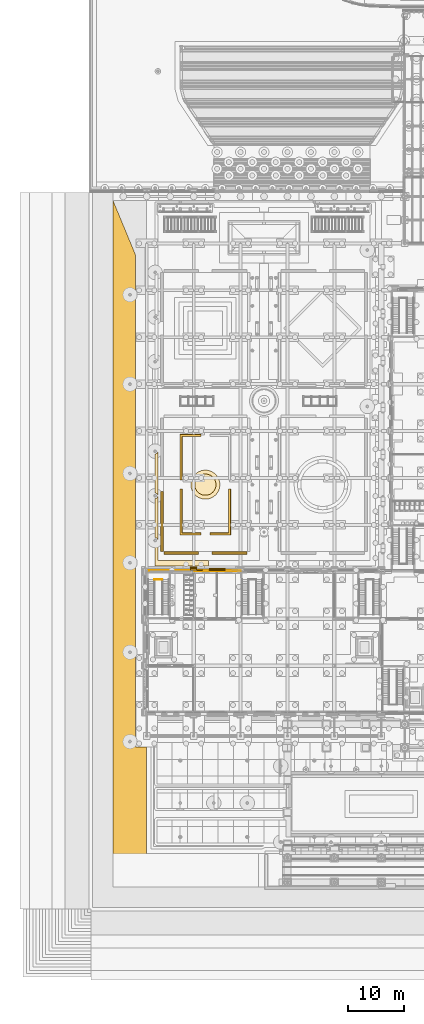
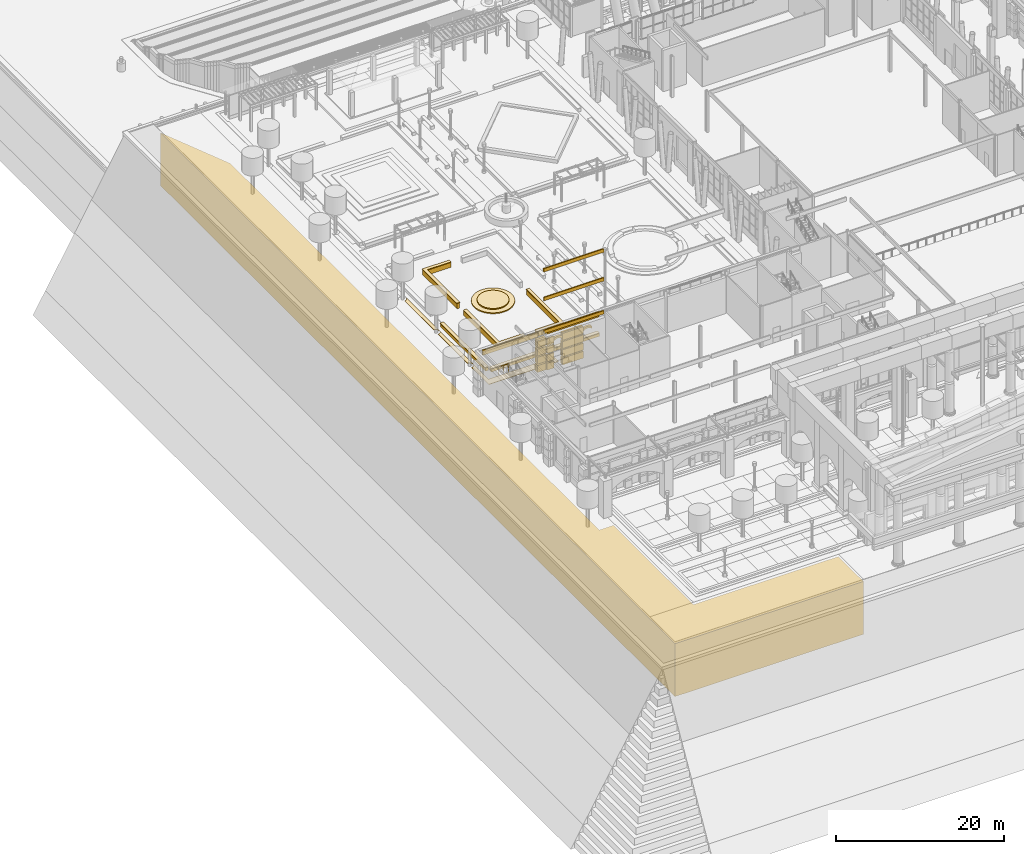
# One storey, part 136 of 222: 45 coverings, 1 railing.
"""IFC4 building model written with IfcOpenShell, lengths in metres."""

from ifc_helpers import new_model, si_unit, direction, frame, origin, origin_2d, place, context, subcontext, project, spatial, polyline, rectangle, circle, outline, extrude, material, layer, layer_set, type_object, element, save


model = new_model("IFC4")

# Units and contexts
model_context = context("Model", 3, precision=1e-05, world=origin(), true_north=direction((0.0, 1.0)))
body_context = subcontext(model_context, "Body", "Model", "MODEL_VIEW")
ifc_project = project(units=[si_unit("LENGTHUNIT", "METRE"), si_unit("AREAUNIT", "SQUARE_METRE"), si_unit("VOLUMEUNIT", "CUBIC_METRE"), si_unit("PLANEANGLEUNIT", "RADIAN"), si_unit("MASSUNIT", "GRAM", prefix="KILO")], contexts=[model_context])

# Site, building, storey
site_placement = place(None, origin())
site = spatial("IfcSite", under=ifc_project, at=site_placement, CompositionType="ELEMENT")
building_placement = place(site_placement, origin())
building = spatial("IfcBuilding", under=site, at=building_placement, Name="Sava Quay Ferry Terminal", CompositionType="ELEMENT")
storey_placement = place(building_placement, origin())
storey = spatial("IfcBuildingStorey", under=building, at=storey_placement, Name="L00", CompositionType="ELEMENT", Elevation=0.0)

# Coverings
ifc_material_1 = material(Name="Limestone Mutalj", Category="masonry")
ifc_layer_1 = layer(ifc_material_1, 0.300048828125)
ifc_layer_set_1 = layer_set([ifc_layer_1], Name="Limestone Mutalj")
covering_type_1 = type_object("IfcCoveringType", Name="Arch band 280", PredefinedType="MOLDING", material=ifc_layer_set_1)
for number, where, z_axis, x_axis, name in (
    (1, (9.96875, 50.56005859375, 3.89990234375), (0.0, -1.0, 0.0), (0.766042844353, 0.0, 0.642789515017), "Arch band"),
    (2, (14.03125, 50.56005859375, 3.89990234375), (0.0, -1.0, 0.0), (0.766042844353, 0.0, 0.642789515017), "Arch band"),
):
    element("IfcCovering", number, at=place(storey_placement, frame(where, z_axis=z_axis, x_axis=x_axis)), inside=storey, type_object=covering_type_1, Name=name, PredefinedType="MOLDING", context=body_context, shape_type="SweptSolid", body=[
        extrude(outline(polyline([(0.0, 0.0), (0.1564834757725232, 0.0), (0.29290987034562144, -0.02428279209876255), (0.4140838634817109, -0.06636278232810475), (0.522890396081421, -0.12356147789515273), (0.6202108720586751, -0.19406883930165053), (0.706733197838947, -0.2778246842578833), (0.781769466996763, -0.374889195053566), (0.8444382756181996, -0.4870724111869544), (0.8918546828026273, -0.6170528254509224), (0.9192140087876302, -0.771316031813653), (1.14849024937354, -0.4980766285911245), (1.098846716569099, -0.3703705716175788), (1.0380911714997962, -0.2562870425513622), (0.9674188801474346, -0.15364195753662468), (0.8881454730732465, -0.0616270455684631), (0.8002107679875174, 0.020445599778596002), (0.7043026713157206, 0.09263616079426751), (0.5997332766323826, 0.15488445518883656), (0.48656276622721817, 0.20650257653682963), (0.3634755095389949, 0.24668225383334366), (0.2292762405859099, 0.27323940322252854), (0.0, 0.0)])), origin(), (0.0, 0.0, -1.0), 0.300048828125),
    ])
ifc_material_2 = material(Name="Limestone Mutalj", Category="masonry")
ifc_layer_2 = layer(ifc_material_2, 0.35009765625)
ifc_layer_set_2 = layer_set([ifc_layer_2], Name="Limestone Mutalj")
covering_type_2 = type_object("IfcCoveringType", Name="Garden bed wall 350", PredefinedType="CLADDING", material=ifc_layer_set_2)
covering_1_placement = place(storey_placement, frame((0.0, 0.0, 0.14990234375)))
element("IfcCovering", 3, at=covering_1_placement, inside=storey, type_object=covering_type_2, Name="Garden bed wall 350", PredefinedType="CLADDING", context=body_context, shape_type="SweptSolid", body=[
    extrude(outline(polyline([(6.35009765625, 57.35009765625), (6.35009765625, 65.199951171875), (6.0, 65.199951171875), (6.0, 57.0), (9.699951171875, 57.0), (9.699951171875, 57.35009765625), (6.35009765625, 57.35009765625)])), origin(), (0.0, 0.0, 1.0), 0.75),
])
covering_2_placement = place(storey_placement, frame((0.0, 0.0, 0.14990234375)))
element("IfcCovering", 4, at=covering_2_placement, inside=storey, type_object=covering_type_2, Name="Garden bed wall 350", PredefinedType="CLADDING", context=body_context, shape_type="SweptSolid", body=[
    extrude(outline(polyline([(9.699951171875, 74.64990234375), (9.699951171875, 75.0), (6.0, 75.0), (6.0, 66.800048828125), (6.35009765625, 66.800048828125), (6.35009765625, 74.64990234375), (9.699951171875, 74.64990234375)])), origin(), (0.0, 0.0, 1.0), 0.75),
])
covering_3_placement = place(storey_placement, frame((0.0, 0.0, 0.14990234375)))
element("IfcCovering", 5, at=covering_3_placement, inside=storey, type_object=covering_type_2, Name="Garden bed wall 350", PredefinedType="CLADDING", context=body_context, shape_type="SweptSolid", body=[
    extrude(outline(polyline([(11.300048828125, 57.35009765625), (11.300048828125, 57.0), (15.0, 57.0), (15.0, 65.199951171875), (14.64990234375, 65.199951171875), (14.64990234375, 57.35009765625), (11.300048828125, 57.35009765625)])), origin(), (0.0, 0.0, 1.0), 0.75),
])
ifc_material_3 = material(Name="Limestone Mutalj", Category="masonry")
ifc_layer_3 = layer(ifc_material_3, 0.080078125)
ifc_layer_set_3 = layer_set([ifc_layer_3], Name="Limestone Mutalj")
covering_type_3 = type_object("IfcCoveringType", Name="Garden bed wall coping 450", PredefinedType="MOLDING", material=ifc_layer_set_3)
covering_4_placement = place(storey_placement, frame((0.0, 0.0, 0.89990234375)))
element("IfcCovering", 6, at=covering_4_placement, inside=storey, type_object=covering_type_3, Name="Garden bed wall coping 450", PredefinedType="MOLDING", context=body_context, shape_type="SweptSolid", body=[
    extrude(outline(polyline([(6.39990234375, 57.39990234375), (6.39990234375, 65.199951171875), (5.949951171875, 65.199951171875), (5.949951171875, 56.949951171875), (9.699951171875, 56.949951171875), (9.699951171875, 57.39990234375), (6.39990234375, 57.39990234375)])), origin(), (0.0, 0.0, 1.0), 0.080078125),
])
covering_5_placement = place(storey_placement, frame((0.0, 0.0, 0.89990234375)))
element("IfcCovering", 7, at=covering_5_placement, inside=storey, type_object=covering_type_3, Name="Garden bed wall coping 450", PredefinedType="MOLDING", context=body_context, shape_type="SweptSolid", body=[
    extrude(outline(polyline([(9.699951171875, 74.60009765625), (9.699951171875, 75.050048828125), (5.949951171875, 75.050048828125), (5.949951171875, 66.800048828125), (6.39990234375, 66.800048828125), (6.39990234375, 74.60009765625), (9.699951171875, 74.60009765625)])), origin(), (0.0, 0.0, 1.0), 0.080078125),
])
covering_6_placement = place(storey_placement, frame((0.0, 0.0, 0.89990234375)))
element("IfcCovering", 8, at=covering_6_placement, inside=storey, type_object=covering_type_3, Name="Garden bed wall coping 450", PredefinedType="MOLDING", context=body_context, shape_type="SweptSolid", body=[
    extrude(outline(polyline([(11.300048828125, 57.39990234375), (11.300048828125, 56.949951171875), (15.050048828125, 56.949951171875), (15.050048828125, 65.199951171875), (14.60009765625, 65.199951171875), (14.60009765625, 57.39990234375), (11.300048828125, 57.39990234375)])), origin(), (0.0, 0.0, 1.0), 0.080078125),
])

# Railing
ifc_material_4 = material(Name="Steel S355", Category="steel")
railing_type = type_object("IfcRailingType", Name="Guard 1100", PredefinedType="GUARDRAIL", material=ifc_material_4)
railing_placement = place(storey_placement, frame((1.39990234375, 49.0, 3.0)))
element("IfcRailing", 9, at=railing_placement, inside=storey, type_object=railing_type, Name="Guard at half landing ST-W1 L00", PredefinedType="GUARDRAIL", context=body_context, shape_type="SweptSolid", body=[
    extrude(circle(Radius=0.02392578125, at=origin_2d()), frame((0.0, 0.0, 1.076171875), z_axis=(1.0, 0.0, 0.0), x_axis=(0.0, 1.0, 0.0)), (0.0, 0.0, 1.0), 1.400146484375),
    extrude(circle(Radius=0.02099609375, at=origin_2d()), origin(), (0.0, 0.0, 1.0), 1.052001953125),
    extrude(circle(Radius=0.02099609375, at=origin_2d()), frame((0.7001953125, 0.0, 0.0)), (0.0, 0.0, 1.0), 1.052001953125),
    extrude(circle(Radius=0.02099609375, at=origin_2d()), frame((1.400146484375, 0.0, 0.0)), (0.0, 0.0, 1.0), 1.052001953125),
])

# Coverings
ifc_material_5 = material(Name="Limestone Mutalj", Category="masonry")
ifc_layer_4 = layer(ifc_material_5, 0.14990234375)
ifc_layer_set_4 = layer_set([ifc_layer_4], Name="Limestone Mutalj")
covering_type_4 = type_object("IfcCoveringType", Name="Limestone string course 150", PredefinedType="CLADDING", material=ifc_layer_set_4)
covering_7_placement = place(storey_placement, frame((0.0, 0.0, 5.25)))
element("IfcCovering", 10, at=covering_7_placement, inside=storey, type_object=covering_type_4, Name="String course W-N", PredefinedType="CLADDING", context=body_context, shape_type="SweptSolid", body=[
    extrude(outline(polyline([(0.14990234375, 50.56005859375), (7.800048828125, 50.56005859375), (7.800048828125, 50.7099609375), (0.14990234375, 50.7099609375), (0.14990234375, 50.56005859375)])), origin(), (0.0, 0.0, 1.0), 0.75),
])
covering_8_placement = place(storey_placement, frame((0.0, 0.0, 5.25)))
element("IfcCovering", 11, at=covering_8_placement, inside=storey, type_object=covering_type_4, Name="String course W-N", PredefinedType="CLADDING", context=body_context, shape_type="SweptSolid", body=[
    extrude(outline(polyline([(9.0, 50.56005859375), (16.199951171875, 50.56005859375), (16.199951171875, 50.7099609375), (9.0, 50.7099609375), (9.0, 50.56005859375)])), origin(), (0.0, 0.0, 1.0), 0.75),
])
ifc_material_6 = material(Name="Compacted gravel fill")
ifc_layer_5 = layer(ifc_material_6, 7.97998046875)
ifc_layer_set_5 = layer_set([ifc_layer_5], Name="Compacted gravel fill")
covering_type_5 = type_object("IfcCoveringType", Name="Made ground at quay level", PredefinedType="CLADDING", material=ifc_layer_set_5)
covering_9_placement = place(storey_placement, frame((0.0, 0.0, -8.0)))
element("IfcCovering", 12, at=covering_9_placement, inside=storey, type_object=covering_type_5, Name="Made ground at quay level", PredefinedType="CLADDING", context=body_context, shape_type="SweptSolid", body=[
    extrude(outline(polyline([(-6.0, -6.0), (19.969970703125, -6.0), (19.969970703125, -0.030029296875), (-0.030029296875, -0.030029296875), (-0.030029296875, 19.02001953125), (-1.97998046875, 19.02001953125), (-1.97998046875, 107.06591796875), (-6.0, 116.77197265625), (-6.0, 0.0), (-6.0, -6.0)])), origin(), (0.0, 0.0, 1.0), 7.699951171875),
])
ifc_material_7 = material(Name="Limestone Mutalj", Category="masonry")
ifc_layer_6 = layer(ifc_material_7, 0.300048828125)
ifc_layer_set_6 = layer_set([ifc_layer_6], Name="Limestone Mutalj")
covering_type_6 = type_object("IfcCoveringType", Name="Rusticated course deepening 300", PredefinedType="CLADDING", material=ifc_layer_set_6)
for number, where, z_axis, x_axis, name in (
    (13, (8.39990234375, 51.159912109375, 0.0), (0.0, 0.0, 1.0), (1.0, 0.0, 0.0), "Rusticated course deepening"),
    (14, (8.39990234375, 51.159912109375, 1.199951171875), (0.0, 0.0, 1.0), (1.0, 0.0, 0.0), "Rusticated course deepening"),
    (15, (8.39990234375, 51.159912109375, 2.39990234375), (0.0, 0.0, 1.0), (1.0, 0.0, 0.0), "Rusticated course deepening"),
    (16, (8.39990234375, 51.159912109375, 3.60009765625), (0.0, 0.0, 1.0), (1.0, 0.0, 0.0), "Rusticated course deepening"),
):
    element("IfcCovering", number, at=place(storey_placement, frame(where, z_axis=z_axis, x_axis=x_axis)), inside=storey, type_object=covering_type_6, Name=name, PredefinedType="CLADDING", context=body_context, shape_type="SweptSolid", body=[
        extrude(rectangle(XDim=1.199951171875, YDim=0.300048828125, at=origin_2d()), origin(), (0.0, 0.0, 1.0), 1.0),
    ])
for number, where, z_axis, x_axis, name in (
    (17, (12.60009765625, 50.909912109375, 0.0), (0.0, 0.0, 1.0), (1.0, 0.0, 0.0), "Rusticated course deepening"),
    (18, (12.60009765625, 50.909912109375, 1.199951171875), (0.0, 0.0, 1.0), (1.0, 0.0, 0.0), "Rusticated course deepening"),
    (19, (12.60009765625, 50.909912109375, 2.39990234375), (0.0, 0.0, 1.0), (1.0, 0.0, 0.0), "Rusticated course deepening"),
    (20, (12.60009765625, 50.909912109375, 3.60009765625), (0.0, 0.0, 1.0), (1.0, 0.0, 0.0), "Rusticated course deepening"),
):
    element("IfcCovering", number, at=place(storey_placement, frame(where, z_axis=z_axis, x_axis=x_axis)), inside=storey, type_object=covering_type_6, Name=name, PredefinedType="CLADDING", context=body_context, shape_type="SweptSolid", body=[
        extrude(rectangle(XDim=2.862548828125, YDim=0.300048828125, at=origin_2d()), origin(), (0.0, 0.0, 1.0), 1.0),
    ])
ifc_material_8 = material(Name="Limestone Mutalj", Category="masonry")
ifc_layer_7 = layer(ifc_material_8, 0.300048828125)
ifc_layer_set_7 = layer_set([ifc_layer_7], Name="Limestone Mutalj")
covering_type_7 = type_object("IfcCoveringType", Name="Rusticated pier course 300", PredefinedType="CLADDING", material=ifc_layer_set_7)
for number, where, z_axis, x_axis, name in (
    (21, (8.39990234375, 50.860107421875, 0.0), (0.0, 0.0, 1.0), (1.0, 0.0, 0.0), "Rusticated pier course"),
    (22, (8.39990234375, 50.860107421875, 1.199951171875), (0.0, 0.0, 1.0), (1.0, 0.0, 0.0), "Rusticated pier course"),
    (23, (8.39990234375, 50.860107421875, 2.39990234375), (0.0, 0.0, 1.0), (1.0, 0.0, 0.0), "Rusticated pier course"),
    (24, (8.39990234375, 50.860107421875, 3.60009765625), (0.0, 0.0, 1.0), (1.0, 0.0, 0.0), "Rusticated pier course"),
):
    element("IfcCovering", number, at=place(storey_placement, frame(where, z_axis=z_axis, x_axis=x_axis)), inside=storey, type_object=covering_type_7, Name=name, PredefinedType="CLADDING", context=body_context, shape_type="SweptSolid", body=[
        extrude(rectangle(XDim=1.199951171875, YDim=0.300048828125, at=origin_2d()), origin(), (0.0, 0.0, 1.0), 1.0),
    ])
ifc_material_9 = material(Name="Limestone Mutalj", Category="masonry")
ifc_layer_8 = layer(ifc_material_9, 0.199951171875)
ifc_layer_set_8 = layer_set([ifc_layer_8], Name="Limestone Mutalj")
covering_type_8 = type_object("IfcCoveringType", Name="Rusticated wall course 200", PredefinedType="CLADDING", material=ifc_layer_set_8)
covering_10_placement = place(storey_placement, frame((9.484375, 50.659912109375, 0.0), z_axis=(0.0, 0.0, 1.0), x_axis=(1.0, 0.0, 0.0)))
element("IfcCovering", 25, at=covering_10_placement, inside=storey, type_object=covering_type_8, Name="Rusticated wall course", PredefinedType="CLADDING", context=body_context, shape_type="SweptSolid", body=[
    extrude(rectangle(XDim=0.96875, YDim=0.199951171875, at=origin_2d()), origin(), (0.0, 0.0, 1.0), 1.0),
])
covering_11_placement = place(storey_placement, frame((12.60009765625, 50.659912109375, 0.0), z_axis=(0.0, 0.0, 1.0), x_axis=(1.0, 0.0, 0.0)))
element("IfcCovering", 26, at=covering_11_placement, inside=storey, type_object=covering_type_8, Name="Rusticated wall course", PredefinedType="CLADDING", context=body_context, shape_type="SweptSolid", body=[
    extrude(rectangle(XDim=2.862548828125, YDim=0.199951171875, at=origin_2d()), origin(), (0.0, 0.0, 1.0), 1.0),
])
covering_12_placement = place(storey_placement, frame((9.484375, 50.659912109375, 1.199951171875), z_axis=(0.0, 0.0, 1.0), x_axis=(1.0, 0.0, 0.0)))
element("IfcCovering", 27, at=covering_12_placement, inside=storey, type_object=covering_type_8, Name="Rusticated wall course", PredefinedType="CLADDING", context=body_context, shape_type="SweptSolid", body=[
    extrude(rectangle(XDim=0.96875, YDim=0.199951171875, at=origin_2d()), origin(), (0.0, 0.0, 1.0), 1.0),
])
covering_13_placement = place(storey_placement, frame((12.60009765625, 50.659912109375, 1.199951171875), z_axis=(0.0, 0.0, 1.0), x_axis=(1.0, 0.0, 0.0)))
element("IfcCovering", 28, at=covering_13_placement, inside=storey, type_object=covering_type_8, Name="Rusticated wall course", PredefinedType="CLADDING", context=body_context, shape_type="SweptSolid", body=[
    extrude(rectangle(XDim=2.862548828125, YDim=0.199951171875, at=origin_2d()), origin(), (0.0, 0.0, 1.0), 1.0),
])
covering_14_placement = place(storey_placement, frame((9.484375, 50.659912109375, 2.39990234375), z_axis=(0.0, 0.0, 1.0), x_axis=(1.0, 0.0, 0.0)))
element("IfcCovering", 29, at=covering_14_placement, inside=storey, type_object=covering_type_8, Name="Rusticated wall course", PredefinedType="CLADDING", context=body_context, shape_type="SweptSolid", body=[
    extrude(rectangle(XDim=0.96875, YDim=0.199951171875, at=origin_2d()), origin(), (0.0, 0.0, 1.0), 1.0),
])
covering_15_placement = place(storey_placement, frame((12.60009765625, 50.659912109375, 2.39990234375), z_axis=(0.0, 0.0, 1.0), x_axis=(1.0, 0.0, 0.0)))
element("IfcCovering", 30, at=covering_15_placement, inside=storey, type_object=covering_type_8, Name="Rusticated wall course", PredefinedType="CLADDING", context=body_context, shape_type="SweptSolid", body=[
    extrude(rectangle(XDim=2.862548828125, YDim=0.199951171875, at=origin_2d()), origin(), (0.0, 0.0, 1.0), 1.0),
])
covering_16_placement = place(storey_placement, frame((9.484375, 50.659912109375, 3.60009765625), z_axis=(0.0, 0.0, 1.0), x_axis=(1.0, 0.0, 0.0)))
element("IfcCovering", 31, at=covering_16_placement, inside=storey, type_object=covering_type_8, Name="Rusticated wall course", PredefinedType="CLADDING", context=body_context, shape_type="SweptSolid", body=[
    extrude(rectangle(XDim=0.96875, YDim=0.199951171875, at=origin_2d()), origin(), (0.0, 0.0, 1.0), 1.0),
])
covering_17_placement = place(storey_placement, frame((12.60009765625, 50.659912109375, 3.60009765625), z_axis=(0.0, 0.0, 1.0), x_axis=(1.0, 0.0, 0.0)))
element("IfcCovering", 32, at=covering_17_placement, inside=storey, type_object=covering_type_8, Name="Rusticated wall course", PredefinedType="CLADDING", context=body_context, shape_type="SweptSolid", body=[
    extrude(rectangle(XDim=2.862548828125, YDim=0.199951171875, at=origin_2d()), origin(), (0.0, 0.0, 1.0), 1.0),
])
ifc_material_10 = material(Name="Limestone Mutalj", Category="masonry")
ifc_layer_9 = layer(ifc_material_10, 0.14990234375)
ifc_layer_set_9 = layer_set([ifc_layer_9], Name="Limestone Mutalj")
covering_type_9 = type_object("IfcCoveringType", Name="Slab edge fascia 150", PredefinedType="CLADDING", material=ifc_layer_set_9)
for number, where, name in (
    (33, (0.0, 0.0, 5.510009765625), "Slab edge fascia"),
    (34, (0.0, 0.0, 10.31005859375), "Slab edge fascia"),
):
    element("IfcCovering", number, at=place(storey_placement, frame(where)), inside=storey, type_object=covering_type_9, Name=name, PredefinedType="CLADDING", context=body_context, shape_type="SweptSolid", body=[
        extrude(outline(polyline([(8.550048828125, 50.48291015625), (16.800048828125, 50.48291015625), (16.800048828125, 50.633056640625), (8.550048828125, 50.633056640625), (8.550048828125, 50.48291015625)])), origin(), (0.0, 0.0, 1.0), 0.489990234375),
    ])
covering_18_placement = place(storey_placement, frame((0.0, 0.0, 14.510009765625)))
element("IfcCovering", 35, at=covering_18_placement, inside=storey, type_object=covering_type_9, Name="Slab edge fascia", PredefinedType="CLADDING", context=body_context, shape_type="SweptSolid", body=[
    extrude(outline(polyline([(8.530029296875, 50.48291015625), (16.800048828125, 50.48291015625), (16.800048828125, 50.633056640625), (8.530029296875, 50.633056640625), (8.530029296875, 50.48291015625)])), origin(), (0.0, 0.0, 1.0), 0.489990234375),
])
ifc_material_11 = material(Name="Limestone Mutalj", Category="masonry")
ifc_layer_10 = layer(ifc_material_11, 0.050048828125)
ifc_layer_set_10 = layer_set([ifc_layer_10], Name="Limestone Mutalj")
covering_type_10 = type_object("IfcCoveringType", Name="Stone paving band 50", PredefinedType="FLOORING", material=ifc_layer_set_10)
covering_19_placement = place(storey_placement, origin())
element("IfcCovering", 36, at=covering_19_placement, inside=storey, type_object=covering_type_10, Name="Stone paving band", PredefinedType="FLOORING", context=body_context, shape_type="SweptSolid", body=[
    extrude(outline(polyline([(1.998046875, 56.037109375), (2.0, 55.988037109375), (2.0, 63.988037109375), (1.99609375, 63.93896484375), (1.988037109375, 63.889892578125), (1.97509765625, 63.843017578125), (1.95703125, 63.797119140625), (1.93505859375, 63.75390625), (1.908935546875, 63.7119140625), (1.8779296875, 63.674072265625), (1.844970703125, 63.637939453125), (1.80810546875, 63.60595703125), (1.76708984375, 63.577880859375), (1.72509765625, 63.553955078125), (1.679931640625, 63.533935546875), (1.633056640625, 63.51806640625), (1.5849609375, 63.508056640625), (1.537109375, 63.501953125), (1.5, 63.5), (1.5, 56.5), (1.56103515625, 56.49609375), (1.610107421875, 56.488037109375), (1.656982421875, 56.47509765625), (1.702880859375, 56.45703125), (1.74609375, 56.43505859375), (1.7880859375, 56.408935546875), (1.825927734375, 56.3779296875), (1.862060546875, 56.344970703125), (1.89404296875, 56.30810546875), (1.922119140625, 56.26708984375), (1.946044921875, 56.22509765625), (1.966064453125, 56.179931640625), (1.98193359375, 56.133056640625), (1.991943359375, 56.0849609375), (1.998046875, 56.037109375)])), origin(), (0.0, 0.0, 1.0), 0.050048828125),
])
covering_20_placement = place(storey_placement, origin())
element("IfcCovering", 37, at=covering_20_placement, inside=storey, type_object=covering_type_10, Name="Stone paving band", PredefinedType="FLOORING", context=body_context, shape_type="SweptSolid", body=[
    extrude(outline(polyline([(2.0, 52.39990234375), (2.0, 55.988037109375), (1.99609375, 55.93896484375), (1.988037109375, 55.889892578125), (1.97509765625, 55.843017578125), (1.95703125, 55.797119140625), (1.93505859375, 55.75390625), (1.908935546875, 55.7119140625), (1.8779296875, 55.674072265625), (1.844970703125, 55.637939453125), (1.80810546875, 55.60595703125), (1.76708984375, 55.577880859375), (1.72509765625, 55.553955078125), (1.679931640625, 55.533935546875), (1.633056640625, 55.51806640625), (1.5849609375, 55.508056640625), (1.537109375, 55.501953125), (1.5, 55.5), (1.5, 51.39990234375), (11.10009765625, 51.39990234375), (11.10009765625, 52.39990234375), (2.0, 52.39990234375)])), origin(), (0.0, 0.0, 1.0), 0.050048828125),
])
covering_21_placement = place(storey_placement, origin())
element("IfcCovering", 38, at=covering_21_placement, inside=storey, type_object=covering_type_10, Name="Stone paving band", PredefinedType="FLOORING", context=body_context, shape_type="SweptSolid", body=[
    extrude(outline(polyline([(1.998046875, 64.037109375), (2.0, 63.988037109375), (2.0, 71.988037109375), (1.99609375, 71.93896484375), (1.988037109375, 71.889892578125), (1.97509765625, 71.843017578125), (1.95703125, 71.797119140625), (1.93505859375, 71.75390625), (1.908935546875, 71.7119140625), (1.8779296875, 71.674072265625), (1.844970703125, 71.637939453125), (1.80810546875, 71.60595703125), (1.76708984375, 71.577880859375), (1.72509765625, 71.553955078125), (1.679931640625, 71.533935546875), (1.633056640625, 71.51806640625), (1.5849609375, 71.508056640625), (1.537109375, 71.501953125), (1.5, 71.5), (1.5, 64.5), (1.56103515625, 64.49609375), (1.610107421875, 64.488037109375), (1.656982421875, 64.47509765625), (1.702880859375, 64.45703125), (1.74609375, 64.43505859375), (1.7880859375, 64.408935546875), (1.825927734375, 64.3779296875), (1.862060546875, 64.344970703125), (1.89404296875, 64.30810546875), (1.922119140625, 64.26708984375), (1.946044921875, 64.22509765625), (1.966064453125, 64.179931640625), (1.98193359375, 64.133056640625), (1.991943359375, 64.0849609375), (1.998046875, 64.037109375)])), origin(), (0.0, 0.0, 1.0), 0.050048828125),
])
ifc_material_12 = material(Name="Limestone Mutalj", Category="masonry")
ifc_layer_11 = layer(ifc_material_12, 0.14990234375)
ifc_layer_set_11 = layer_set([ifc_layer_11], Name="Limestone Mutalj")
covering_type_11 = type_object("IfcCoveringType", Name="Stone step 150", PredefinedType="MOLDING", material=ifc_layer_set_11)
covering_22_placement = place(storey_placement, frame((0.0, 0.0, 0.14990234375)))
element("IfcCovering", 39, at=covering_22_placement, inside=storey, type_object=covering_type_11, Name="Stone step 150", PredefinedType="MOLDING", context=body_context, shape_type="SweptSolid", body=[
    extrude(outline(polyline([(13.077880859375, 65.660888671875), (13.093994140625, 65.830078125), (13.10009765625, 66.0), (13.093994140625, 66.169921875), (13.077880859375, 66.339111328125), (13.050048828125, 66.507080078125), (13.010986328125, 66.673095703125), (12.9619140625, 66.8359375), (12.902099609375, 66.9951171875), (12.83203125, 67.14990234375), (12.751953125, 67.300048828125), (12.662109375, 67.444091796875), (12.56298828125, 67.5830078125), (12.455078125, 67.714111328125), (12.337890625, 67.837890625), (12.214111328125, 67.955078125), (12.0830078125, 68.06298828125), (11.944091796875, 68.162109375), (11.800048828125, 68.251953125), (11.64990234375, 68.33203125), (11.4951171875, 68.402099609375), (11.3359375, 68.4619140625), (11.173095703125, 68.510986328125), (11.007080078125, 68.550048828125), (10.839111328125, 68.577880859375), (10.669921875, 68.593994140625), (10.5, 68.60009765625), (10.330078125, 68.593994140625), (10.160888671875, 68.577880859375), (9.992919921875, 68.550048828125), (9.826904296875, 68.510986328125), (9.6640625, 68.4619140625), (9.5048828125, 68.402099609375), (9.35009765625, 68.33203125), (9.199951171875, 68.251953125), (9.055908203125, 68.162109375), (8.9169921875, 68.06298828125), (8.785888671875, 67.955078125), (8.662109375, 67.837890625), (8.544921875, 67.714111328125), (8.43701171875, 67.5830078125), (8.337890625, 67.444091796875), (8.248046875, 67.300048828125), (8.16796875, 67.14990234375), (8.097900390625, 66.9951171875), (8.0380859375, 66.8359375), (7.989013671875, 66.673095703125), (7.949951171875, 66.507080078125), (7.922119140625, 66.339111328125), (7.906005859375, 66.169921875), (7.89990234375, 66.0), (7.906005859375, 65.830078125), (7.922119140625, 65.660888671875), (7.949951171875, 65.492919921875), (7.989013671875, 65.326904296875), (8.0380859375, 65.1640625), (8.097900390625, 65.0048828125), (8.16796875, 64.85009765625), (8.248046875, 64.699951171875), (8.337890625, 64.555908203125), (8.43701171875, 64.4169921875), (8.544921875, 64.285888671875), (8.662109375, 64.162109375), (8.785888671875, 64.044921875), (8.9169921875, 63.93701171875), (9.055908203125, 63.837890625), (9.199951171875, 63.748046875), (9.35009765625, 63.66796875), (9.5048828125, 63.597900390625), (9.6640625, 63.5380859375), (9.826904296875, 63.489013671875), (9.992919921875, 63.449951171875), (10.160888671875, 63.422119140625), (10.330078125, 63.406005859375), (10.5, 63.39990234375), (10.669921875, 63.406005859375), (10.839111328125, 63.422119140625), (11.007080078125, 63.449951171875), (11.173095703125, 63.489013671875), (11.3359375, 63.5380859375), (11.4951171875, 63.597900390625), (11.64990234375, 63.66796875), (11.800048828125, 63.748046875), (11.944091796875, 63.837890625), (12.0830078125, 63.93701171875), (12.214111328125, 64.044921875), (12.337890625, 64.162109375), (12.455078125, 64.285888671875), (12.56298828125, 64.4169921875), (12.662109375, 64.555908203125), (12.751953125, 64.699951171875), (12.83203125, 64.85009765625), (12.902099609375, 65.0048828125), (12.9619140625, 65.1640625), (13.010986328125, 65.326904296875), (13.050048828125, 65.492919921875), (13.077880859375, 65.660888671875)])), origin(), (0.0, 0.0, 1.0), 0.150146484375),
])
ifc_material_13 = material(Name="Limestone Mutalj", Category="masonry")
ifc_layer_12 = layer(ifc_material_13, 0.14990234375)
ifc_layer_set_12 = layer_set([ifc_layer_12], Name="Limestone Mutalj")
covering_type_12 = type_object("IfcCoveringType", Name="Stone step 300", PredefinedType="MOLDING", material=ifc_layer_set_12)
covering_23_placement = place(storey_placement, frame((0.0, 0.0, 0.300048828125)))
element("IfcCovering", 40, at=covering_23_placement, inside=storey, type_object=covering_type_12, Name="Stone step 300", PredefinedType="MOLDING", context=body_context, shape_type="SweptSolid", body=[
    extrude(outline(polyline([(12.384033203125, 65.751953125), (12.39599609375, 65.8759765625), (12.39990234375, 66.0), (12.39599609375, 66.1240234375), (12.384033203125, 66.248046875), (12.363037109375, 66.37109375), (12.3349609375, 66.491943359375), (12.299072265625, 66.611083984375), (12.2548828125, 66.72705078125), (12.2041015625, 66.840087890625), (12.14501953125, 66.949951171875), (12.080078125, 67.055908203125), (12.007080078125, 67.156982421875), (11.927978515625, 67.2529296875), (11.843994140625, 67.343994140625), (11.7529296875, 67.427978515625), (11.656982421875, 67.507080078125), (11.555908203125, 67.580078125), (11.449951171875, 67.64501953125), (11.340087890625, 67.7041015625), (11.22705078125, 67.7548828125), (11.111083984375, 67.799072265625), (10.991943359375, 67.8349609375), (10.87109375, 67.863037109375), (10.748046875, 67.884033203125), (10.6240234375, 67.89599609375), (10.5, 67.89990234375), (10.3759765625, 67.89599609375), (10.251953125, 67.884033203125), (10.12890625, 67.863037109375), (10.008056640625, 67.8349609375), (9.888916015625, 67.799072265625), (9.77294921875, 67.7548828125), (9.659912109375, 67.7041015625), (9.550048828125, 67.64501953125), (9.444091796875, 67.580078125), (9.343017578125, 67.507080078125), (9.2470703125, 67.427978515625), (9.156005859375, 67.343994140625), (9.072021484375, 67.2529296875), (8.992919921875, 67.156982421875), (8.919921875, 67.055908203125), (8.85498046875, 66.949951171875), (8.7958984375, 66.840087890625), (8.7451171875, 66.72705078125), (8.700927734375, 66.611083984375), (8.6650390625, 66.491943359375), (8.636962890625, 66.37109375), (8.615966796875, 66.248046875), (8.60400390625, 66.1240234375), (8.60009765625, 66.0), (8.60400390625, 65.8759765625), (8.615966796875, 65.751953125), (8.636962890625, 65.62890625), (8.6650390625, 65.508056640625), (8.700927734375, 65.388916015625), (8.7451171875, 65.27294921875), (8.7958984375, 65.159912109375), (8.85498046875, 65.050048828125), (8.919921875, 64.944091796875), (8.992919921875, 64.843017578125), (9.072021484375, 64.7470703125), (9.156005859375, 64.656005859375), (9.2470703125, 64.572021484375), (9.343017578125, 64.492919921875), (9.444091796875, 64.419921875), (9.550048828125, 64.35498046875), (9.659912109375, 64.2958984375), (9.77294921875, 64.2451171875), (9.888916015625, 64.200927734375), (10.008056640625, 64.1650390625), (10.12890625, 64.136962890625), (10.251953125, 64.115966796875), (10.3759765625, 64.10400390625), (10.5, 64.10009765625), (10.6240234375, 64.10400390625), (10.748046875, 64.115966796875), (10.87109375, 64.136962890625), (10.991943359375, 64.1650390625), (11.111083984375, 64.200927734375), (11.22705078125, 64.2451171875), (11.340087890625, 64.2958984375), (11.449951171875, 64.35498046875), (11.555908203125, 64.419921875), (11.656982421875, 64.492919921875), (11.7529296875, 64.572021484375), (11.843994140625, 64.656005859375), (11.927978515625, 64.7470703125), (12.007080078125, 64.843017578125), (12.080078125, 64.944091796875), (12.14501953125, 65.050048828125), (12.2041015625, 65.159912109375), (12.2548828125, 65.27294921875), (12.299072265625, 65.388916015625), (12.3349609375, 65.508056640625), (12.363037109375, 65.62890625), (12.384033203125, 65.751953125)])), origin(), (0.0, 0.0, 1.0), 0.14990234375),
])
ifc_material_14 = material(Name="Limestone Mutalj", Category="masonry")
ifc_layer_13 = layer(ifc_material_14, 0.080078125)
ifc_layer_set_13 = layer_set([ifc_layer_13], Name="Limestone Mutalj")
covering_type_13 = type_object("IfcCoveringType", Name="Terrace parterre coping 500", PredefinedType="MOLDING", material=ifc_layer_set_13)
covering_24_placement = place(storey_placement, frame((0.0, 0.0, 0.449951171875)))
element("IfcCovering", 41, at=covering_24_placement, inside=storey, type_object=covering_type_13, Name="Parterre wall coping", PredefinedType="MOLDING", context=body_context, shape_type="SweptSolid", body=[
    extrude(outline(polyline([(3.0, 54.050048828125), (3.0, 64.800048828125), (2.5, 64.800048828125), (2.5, 54.050048828125), (3.0, 54.050048828125)])), origin(), (0.0, 0.0, 1.0), 0.080078125),
])
covering_25_placement = place(storey_placement, frame((0.0, 0.0, 0.449951171875)))
element("IfcCovering", 42, at=covering_25_placement, inside=storey, type_object=covering_type_13, Name="Parterre wall coping", PredefinedType="MOLDING", context=body_context, shape_type="SweptSolid", body=[
    extrude(outline(polyline([(9.300048828125, 53.5), (9.300048828125, 54.0), (3.050048828125, 54.0), (3.050048828125, 53.5), (9.300048828125, 53.5)])), origin(), (0.0, 0.0, 1.0), 0.080078125),
])
covering_26_placement = place(storey_placement, frame((0.0, 0.0, 0.449951171875)))
element("IfcCovering", 43, at=covering_26_placement, inside=storey, type_object=covering_type_13, Name="Parterre wall coping", PredefinedType="MOLDING", context=body_context, shape_type="SweptSolid", body=[
    extrude(outline(polyline([(11.699951171875, 54.0), (11.699951171875, 53.5), (17.949951171875, 53.5), (17.949951171875, 54.0), (11.699951171875, 54.0)])), origin(), (0.0, 0.0, 1.0), 0.080078125),
])
ifc_material_15 = material(Name="Limestone Mutalj", Category="masonry")
ifc_layer_14 = layer(ifc_material_15, 0.39990234375)
ifc_layer_set_14 = layer_set([ifc_layer_14], Name="Limestone Mutalj")
covering_type_14 = type_object("IfcCoveringType", Name="Terrace parterre wall 400", PredefinedType="CLADDING", material=ifc_layer_set_14)
covering_27_placement = place(storey_placement, origin())
element("IfcCovering", 44, at=covering_27_placement, inside=storey, type_object=covering_type_14, Name="Parterre wall", PredefinedType="CLADDING", context=body_context, shape_type="SweptSolid", body=[
    extrude(outline(polyline([(2.949951171875, 54.050048828125), (2.949951171875, 64.800048828125), (2.550048828125, 64.800048828125), (2.550048828125, 54.050048828125), (2.949951171875, 54.050048828125)])), origin(), (0.0, 0.0, 1.0), 0.449951171875),
])
covering_28_placement = place(storey_placement, origin())
element("IfcCovering", 45, at=covering_28_placement, inside=storey, type_object=covering_type_14, Name="Parterre wall", PredefinedType="CLADDING", context=body_context, shape_type="SweptSolid", body=[
    extrude(outline(polyline([(9.300048828125, 53.550048828125), (9.300048828125, 53.949951171875), (3.050048828125, 53.949951171875), (3.050048828125, 53.550048828125), (9.300048828125, 53.550048828125)])), origin(), (0.0, 0.0, 1.0), 0.449951171875),
])
covering_29_placement = place(storey_placement, origin())
element("IfcCovering", 46, at=covering_29_placement, inside=storey, type_object=covering_type_14, Name="Parterre wall", PredefinedType="CLADDING", context=body_context, shape_type="SweptSolid", body=[
    extrude(outline(polyline([(11.699951171875, 53.949951171875), (11.699951171875, 53.550048828125), (17.949951171875, 53.550048828125), (17.949951171875, 53.949951171875), (11.699951171875, 53.949951171875)])), origin(), (0.0, 0.0, 1.0), 0.449951171875),
])

save(model, "model.ifc")
